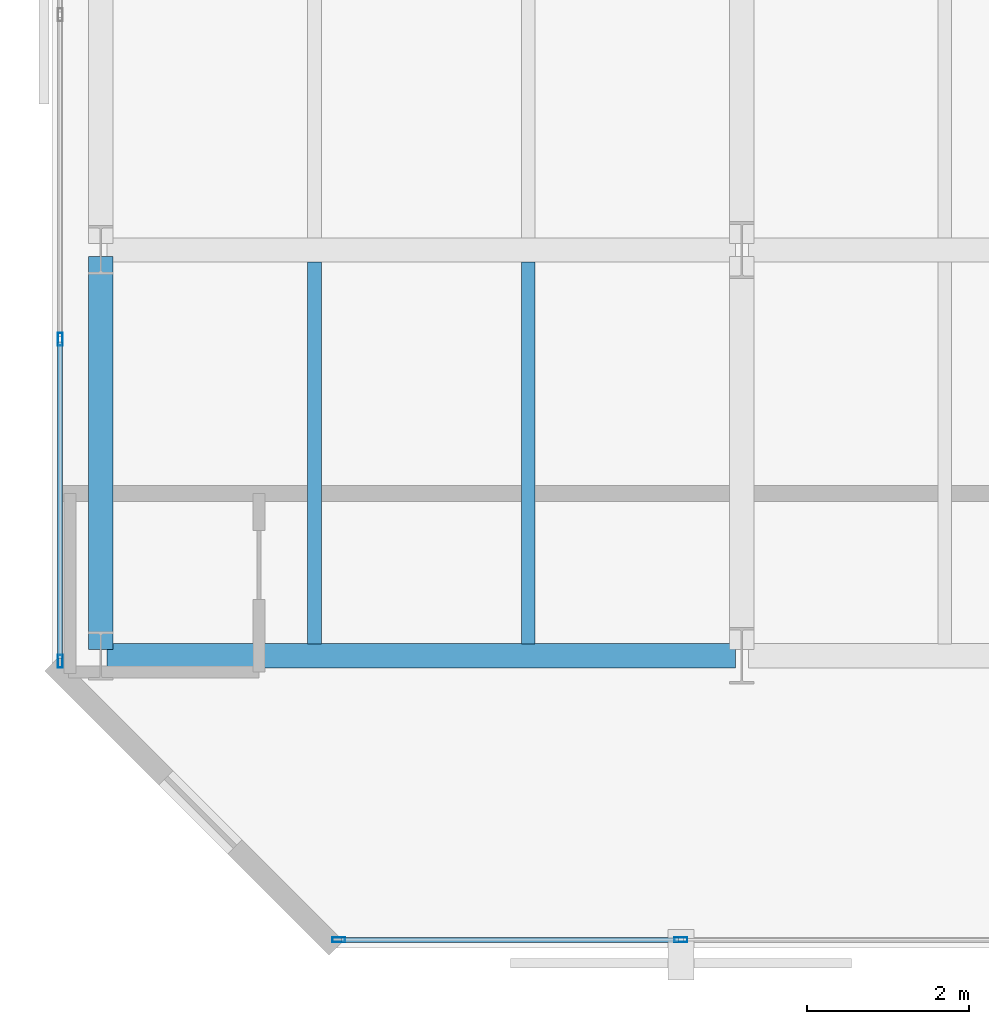
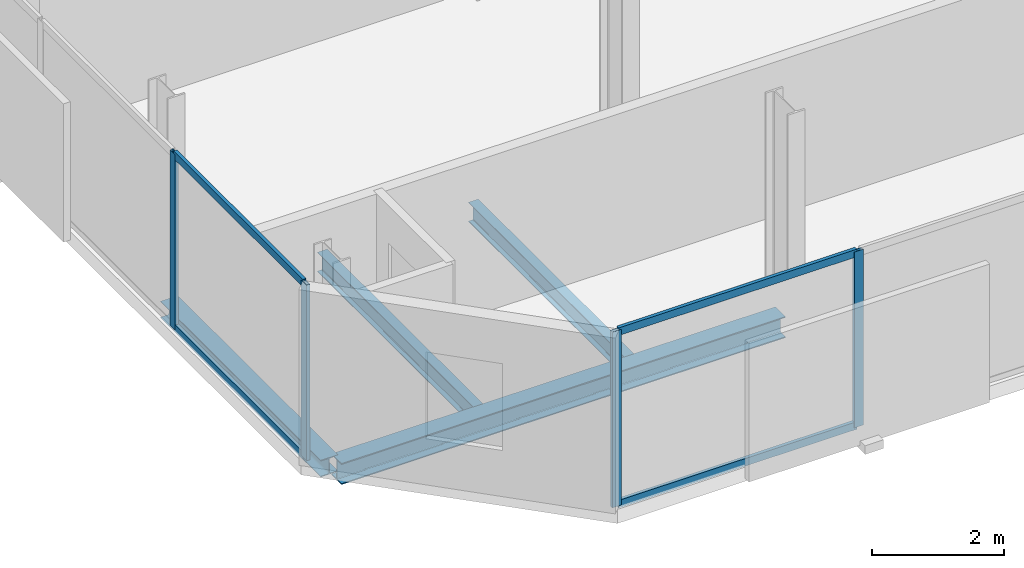
# One storey, part 3 of 32: 8 members, 4 beams, 2 elements without a shape of their own.
"""IFC4 building model written with IfcOpenShell, lengths in metres."""

from ifc_helpers import new_model, si_unit, direction, frame, origin, origin_2d, place, context, subcontext, project, spatial, hollow_rectangle, i_section, extrude, material, layer, layer_set, material_profile, profile_set, type_object, element, aggregate, save


model = new_model("IFC4")

# Units and contexts
model_context = context("Model", 3, precision=1e-05, world=origin(), true_north=direction((0.0, 1.0)))
body_context = subcontext(model_context, "Body", "Model", "MODEL_VIEW")
ifc_project = project(units=[si_unit("LENGTHUNIT", "METRE"), si_unit("AREAUNIT", "SQUARE_METRE"), si_unit("VOLUMEUNIT", "CUBIC_METRE"), si_unit("PLANEANGLEUNIT", "RADIAN"), si_unit("MASSUNIT", "GRAM", prefix="KILO")], contexts=[model_context])

# Site, building, storey
site_placement = place(None, origin())
site = spatial("IfcSite", under=ifc_project, at=site_placement, CompositionType="ELEMENT")
building_placement = place(site_placement, origin())
building = spatial("IfcBuilding", under=site, at=building_placement, Name="Catumbela Crestline Tower", CompositionType="ELEMENT")
storey_placement = place(building_placement, frame((0.0, 0.0, 140.4)))
storey = spatial("IfcBuildingStorey", under=building, at=storey_placement, Name="L36", CompositionType="ELEMENT", Elevation=140.4)

# Beams
ifc_material_1 = material(Name="Structural steel S355J2", Category="steel")
ifc_material_profile_1 = material_profile(ifc_material_1, i_section(OverallWidth=0.3, OverallDepth=0.39, WebThickness=0.011, FlangeThickness=0.019, FilletRadius=0.027, at=origin_2d()), Name="HEA 400")
ifc_profile_set_1 = profile_set([ifc_material_profile_1], Name="Structural steel S355J2")
beam_type_1 = type_object("IfcBeamType", Name="BG-HEA400", PredefinedType="BEAM", material=ifc_profile_set_1)
beam_1_placement = place(storey_placement, frame((0.68, 8.6, -0.455), z_axis=(1.0, 0.0, 0.0), x_axis=(0.0, 1.0, 0.0)))
element("IfcBeam", 1, at=beam_1_placement, inside=storey, type_object=beam_type_1, Name="L36 Beam BM-L36-WEW43", PredefinedType="BEAM", context=body_context, shape_type="SweptSolid", body=[
    extrude(i_section(OverallWidth=0.3, OverallDepth=0.39, WebThickness=0.011, FlangeThickness=0.019, FilletRadius=0.027, at=origin_2d()), origin(), (0.0, 0.0, 1.0), 7.74),
])
ifc_material_profile_2 = material_profile(ifc_material_1, i_section(OverallWidth=0.17, OverallDepth=0.36, WebThickness=0.008, FlangeThickness=0.0127, FilletRadius=0.018, at=origin_2d()), Name="IPE 360")
ifc_profile_set_2 = profile_set([ifc_material_profile_2], Name="Structural steel S355J2")
beam_type_2 = type_object("IfcBeamType", Name="BJ-IPE360", PredefinedType="JOIST", material=ifc_profile_set_2)
for number, where, z_axis, x_axis, name in (
    (2, (3.233, 8.747, -0.44), (0.0, 1.0, 0.0), (-1.0, 0.0, 0.0), "L36 Joist JS-L36-WG63"),
    (3, (5.867, 8.747, -0.44), (0.0, 1.0, 0.0), (-1.0, 0.0, 0.0), "L36 Joist JS-L36-WG64"),
):
    element("IfcBeam", number, at=place(storey_placement, frame(where, z_axis=z_axis, x_axis=x_axis)), inside=storey, type_object=beam_type_2, Name=name, PredefinedType="JOIST", context=body_context, shape_type="SweptSolid", body=[
        extrude(i_section(OverallWidth=0.17, OverallDepth=0.36, WebThickness=0.008, FlangeThickness=0.0127, FilletRadius=0.018, at=origin_2d()), origin(), (0.0, 0.0, 1.0), 4.706),
    ])

# Curtain wall, members
ifc_material_2 = material(Name="Aluminium alloy AW-6060-T66", Category="aluminium")
ifc_layer = layer(ifc_material_2, 0.18, Name="Aluminium alloy AW-6060-T66")
ifc_layer_set = layer_set([ifc_layer], Name="Aluminium alloy AW-6060-T66")
curtain_wall_type = type_object("IfcCurtainWallType", Name="CWU-Z2", PredefinedType="USERDEFINED", material=ifc_layer_set)
curtain_wall_1_placement = place(storey_placement, origin())
curtain_wall_1 = element("IfcCurtainWall", 4, at=curtain_wall_1_placement, inside=storey, type_object=curtain_wall_type, Name="L36 Unitised Curtain Wall CW-L36-E0S1", ObjectType="UNITISED", PredefinedType="USERDEFINED")
ifc_material_profile_3 = material_profile(ifc_material_2, hollow_rectangle(XDim=0.06, YDim=0.16, WallThickness=0.004, at=origin_2d()), Name="ALU 160x60x4")
ifc_profile_set_3 = profile_set([ifc_material_profile_3], Name="Aluminium alloy AW-6060-T66")
member_type_1 = type_object("IfcMemberType", Name="MUL-160X60", PredefinedType="MULLION", material=ifc_profile_set_3)
member_1_placement = place(storey_placement, frame((3.5325, 5.1, 0.0), z_axis=(0.0, 0.0, 1.0), x_axis=(0.0, 1.0, 0.0)))
member_1 = element("IfcMember", 5, at=member_1_placement, type_object=member_type_1, Name="CWU-Z2 mullion 1", PredefinedType="MULLION", context=body_context, shape_type="SweptSolid", body=[
    extrude(hollow_rectangle(XDim=0.06, YDim=0.16, WallThickness=0.004, at=origin_2d()), origin(), (0.0, 0.0, 1.0), 3.24),
])
member_2_placement = place(storey_placement, frame((7.75, 5.1, 0.0), z_axis=(0.0, 0.0, 1.0), x_axis=(0.0, 1.0, 0.0)))
member_2 = element("IfcMember", 6, at=member_2_placement, type_object=member_type_1, Name="CWU-Z2 mullion 2", PredefinedType="MULLION", context=body_context, shape_type="SweptSolid", body=[
    extrude(hollow_rectangle(XDim=0.06, YDim=0.16, WallThickness=0.004, at=origin_2d()), origin(), (0.0, 0.0, 1.0), 3.24),
])

curtain_wall_2_placement = place(storey_placement, origin())
curtain_wall_2 = element("IfcCurtainWall", 7, at=curtain_wall_2_placement, inside=storey, type_object=curtain_wall_type, Name="L36 Unitised Curtain Wall CW-L36-E9S1", ObjectType="UNITISED", PredefinedType="USERDEFINED")
member_3_placement = place(storey_placement, frame((0.1, 12.5, 0.0), z_axis=(0.0, 0.0, 1.0), x_axis=(1.0, 0.0, 0.0)))
member_3 = element("IfcMember", 8, at=member_3_placement, type_object=member_type_1, Name="CWU-Z2 mullion 9", PredefinedType="MULLION", context=body_context, shape_type="SweptSolid", body=[
    extrude(hollow_rectangle(XDim=0.06, YDim=0.16, WallThickness=0.004, at=origin_2d()), origin(), (0.0, 0.0, 1.0), 3.24),
])
member_4_placement = place(storey_placement, frame((0.1, 8.5325, 0.0), z_axis=(0.0, 0.0, 1.0), x_axis=(1.0, 0.0, 0.0)))
member_4 = element("IfcMember", 9, at=member_4_placement, type_object=member_type_1, Name="CWU-Z2 mullion 10", PredefinedType="MULLION", context=body_context, shape_type="SweptSolid", body=[
    extrude(hollow_rectangle(XDim=0.06, YDim=0.16, WallThickness=0.004, at=origin_2d()), origin(), (0.0, 0.0, 1.0), 3.24),
])

# Beam
ifc_material_profile_4 = material_profile(ifc_material_1, i_section(OverallWidth=0.3, OverallDepth=0.31, WebThickness=0.009, FlangeThickness=0.0155, FilletRadius=0.027, at=origin_2d()), Name="HEA 320")
ifc_profile_set_4 = profile_set([ifc_material_profile_4], Name="Structural steel S355J2")
beam_type_3 = type_object("IfcBeamType", Name="BS-HEA320", PredefinedType="SPANDREL", material=ifc_profile_set_4)
beam_2_placement = place(storey_placement, frame((0.6, 8.68, -0.415), z_axis=(0.0, 1.0, 0.0), x_axis=(-1.0, 0.0, 0.0)))
element("IfcBeam", 10, at=beam_2_placement, inside=storey, type_object=beam_type_3, Name="L36 Spandrel SP-L36-WNS52", PredefinedType="SPANDREL", context=body_context, shape_type="SweptSolid", body=[
    extrude(i_section(OverallWidth=0.3, OverallDepth=0.31, WebThickness=0.009, FlangeThickness=0.0155, FilletRadius=0.027, at=origin_2d()), origin(), (0.0, 0.0, 1.0), 4.84),
])

# Member
ifc_material_profile_5 = material_profile(ifc_material_2, hollow_rectangle(XDim=0.06, YDim=0.14, WallThickness=0.004, at=origin_2d()), Name="ALU 140x60x4")
ifc_profile_set_5 = profile_set([ifc_material_profile_5], Name="Aluminium alloy AW-6060-T66")
member_type_2 = type_object("IfcMemberType", Name="TRN-140X60", PredefinedType="USERDEFINED", material=ifc_profile_set_5)
member_5_placement = place(storey_placement, frame((3.565, 5.1, 0.03), z_axis=(1.0, 0.0, 0.0), x_axis=(0.0, 1.0, 0.0)))
member_5 = element("IfcMember", 11, at=member_5_placement, type_object=member_type_2, Name="CWU-Z2 transom 1.1", ObjectType="TRANSOM", PredefinedType="USERDEFINED", context=body_context, shape_type="SweptSolid", body=[
    extrude(hollow_rectangle(XDim=0.06, YDim=0.14, WallThickness=0.004, at=origin_2d()), origin(), (0.0, 0.0, 1.0), 4.1525),
])

member_6_placement = place(storey_placement, frame((3.565, 5.1, 3.21), z_axis=(1.0, 0.0, 0.0), x_axis=(0.0, 1.0, 0.0)))
member_6 = element("IfcMember", 12, at=member_6_placement, type_object=member_type_2, Name="CWU-Z2 transom 1.2", ObjectType="TRANSOM", PredefinedType="USERDEFINED", context=body_context, shape_type="SweptSolid", body=[
    extrude(hollow_rectangle(XDim=0.06, YDim=0.14, WallThickness=0.004, at=origin_2d()), origin(), (0.0, 0.0, 1.0), 4.1525),
])

aggregate(curtain_wall_1, [member_1, member_2, member_5, member_6])

member_7_placement = place(storey_placement, frame((0.1, 12.4675, 0.03), z_axis=(0.0, -1.0, 0.0), x_axis=(1.0, 0.0, 0.0)))
member_7 = element("IfcMember", 13, at=member_7_placement, type_object=member_type_2, Name="CWU-Z2 transom 9.1", ObjectType="TRANSOM", PredefinedType="USERDEFINED", context=body_context, shape_type="SweptSolid", body=[
    extrude(hollow_rectangle(XDim=0.06, YDim=0.14, WallThickness=0.004, at=origin_2d()), origin(), (0.0, 0.0, 1.0), 3.9025),
])

member_8_placement = place(storey_placement, frame((0.1, 12.4675, 3.21), z_axis=(0.0, -1.0, 0.0), x_axis=(1.0, 0.0, 0.0)))
member_8 = element("IfcMember", 14, at=member_8_placement, type_object=member_type_2, Name="CWU-Z2 transom 9.2", ObjectType="TRANSOM", PredefinedType="USERDEFINED", context=body_context, shape_type="SweptSolid", body=[
    extrude(hollow_rectangle(XDim=0.06, YDim=0.14, WallThickness=0.004, at=origin_2d()), origin(), (0.0, 0.0, 1.0), 3.9025),
])

aggregate(curtain_wall_2, [member_3, member_4, member_7, member_8])

save(model, "model.ifc")
